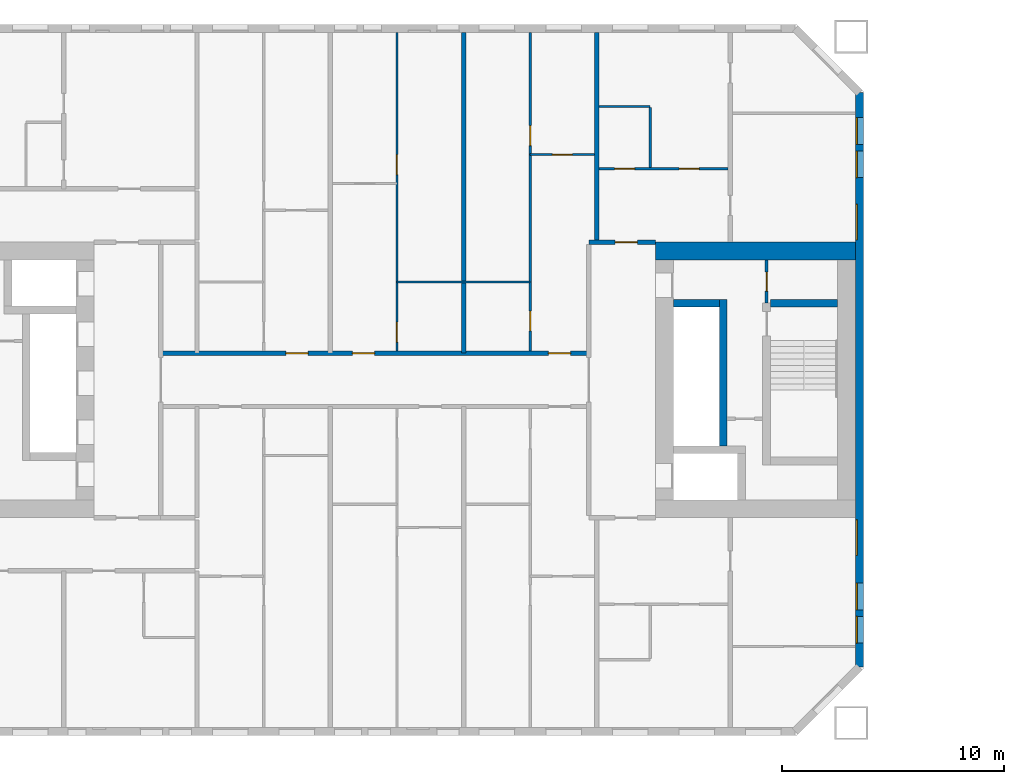
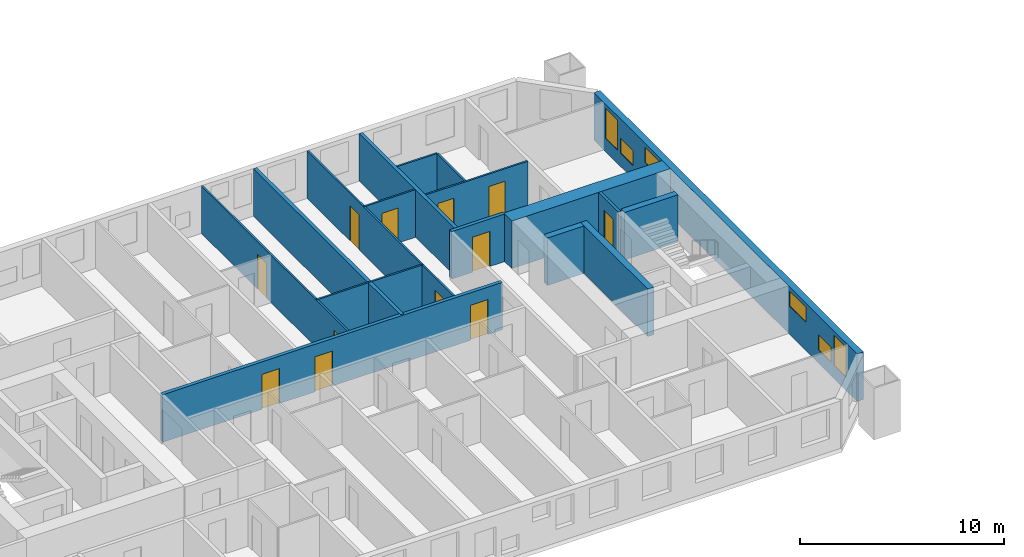
# One storey, part 9 of 19: 17 walls, 12 doors, 6 windows, 18 openings.
"""IFC4 building model written with IfcOpenShell, lengths in metres."""

from ifc_helpers import new_model, si_unit, direction, frame, frame_2d, origin, place, context, subcontext, project, spatial, rectangle, extrude, material, layer, layer_set, type_object, element, fill, save


model = new_model("IFC4")

# Units and contexts
model_context = context("Model", 3, precision=1e-05, world=origin(), true_north=direction((0.0, 1.0)))
body_context = subcontext(model_context, "Body", "Model", "MODEL_VIEW")
ifc_project = project(units=[si_unit("LENGTHUNIT", "METRE"), si_unit("AREAUNIT", "SQUARE_METRE"), si_unit("VOLUMEUNIT", "CUBIC_METRE"), si_unit("PLANEANGLEUNIT", "RADIAN"), si_unit("MASSUNIT", "GRAM", prefix="KILO")], contexts=[model_context])

# Site, building, storey
site_placement = place(None, origin())
site = spatial("IfcSite", under=ifc_project, at=site_placement, CompositionType="ELEMENT")
building_placement = place(site_placement, origin())
building = spatial("IfcBuilding", under=site, at=building_placement, Name="Tuart Gate Housing", CompositionType="ELEMENT")
storey_placement = place(building_placement, frame((0.0, 0.0, 56.699951171875)))
storey = spatial("IfcBuildingStorey", under=building, at=storey_placement, Name="L15", CompositionType="ELEMENT", Elevation=56.699951171875)

# Wall, openings, windows
ifc_material_1 = material(Name="Brick", Category="masonry")
ifc_layer_1 = layer(ifc_material_1, 0.360107421875)
ifc_layer_set_1 = layer_set([ifc_layer_1], Name="Brick pier and spandrel wall 360")
wall_type_1 = type_object("IfcWallType", Name="Brick pier and spandrel wall 360", PredefinedType="STANDARD", material=ifc_layer_set_1)
wall_1_placement = place(storey_placement, frame((75.820068359375, 57.07470703125, 0.0), z_axis=(0.0, 0.0, 1.0), x_axis=(0.0, 1.0, 0.0)))
wall_1 = element("IfcWall", 1, at=wall_1_placement, inside=storey, type_object=wall_type_1, Name="External wall A-E L15", PredefinedType="STANDARD", context=body_context, shape_type="SweptSolid", body=[
    extrude(rectangle(XDim=25.850830078125, YDim=0.360107421875, at=frame_2d((12.92529296875, 0.0))), origin(), (0.0, 0.0, 1.0), 2.85009765625),
])
opening_1_placement = place(wall_1_placement, frame((1.075439453125, 0.0, 0.800048828125)))
opening_1 = element("IfcOpeningElement", 2, at=opening_1_placement, cuts=wall_1, Name="Opening W1B", PredefinedType="OPENING", context=body_context, shape_type="SweptSolid", body=[
    extrude(rectangle(XDim=1.199951171875, YDim=1.800048828125, at=frame_2d((0.60009765625, 0.89990234375))), frame((0.0, 0.18994140625, 0.0), z_axis=(0.0, -1.0, 0.0), x_axis=(1.0, 0.0, 0.0)), (0.0, 0.0, 1.0), 0.380126953125),
])
opening_2_placement = place(wall_1_placement, frame((2.575439453125, 0.0, 0.800048828125)))
opening_2 = element("IfcOpeningElement", 3, at=opening_2_placement, cuts=wall_1, Name="Opening W1T", PredefinedType="OPENING", context=body_context, shape_type="SweptSolid", body=[
    extrude(rectangle(XDim=1.199951171875, YDim=0.89990234375, at=frame_2d((0.60009765625, 0.449951171875))), frame((0.0, 0.18994140625, 0.0), z_axis=(0.0, -1.0, 0.0), x_axis=(1.0, 0.0, 0.0)), (0.0, 0.0, 1.0), 0.380126953125),
])
opening_3_placement = place(wall_1_placement, frame((19.225341796875, 0.0, 1.699951171875)))
opening_3 = element("IfcOpeningElement", 4, at=opening_3_placement, cuts=wall_1, Name="Opening W1R", PredefinedType="OPENING", context=body_context, shape_type="SweptSolid", body=[
    extrude(rectangle(XDim=1.60009765625, YDim=0.89990234375, at=frame_2d((0.800048828125, 0.449951171875))), frame((0.0, 0.18994140625, 0.0), z_axis=(0.0, -1.0, 0.0), x_axis=(1.0, 0.0, 0.0)), (0.0, 0.0, 1.0), 0.380126953125),
])
opening_4_placement = place(wall_1_placement, frame((22.025390625, 0.0, 0.800048828125)))
opening_4 = element("IfcOpeningElement", 5, at=opening_4_placement, cuts=wall_1, Name="Opening W1T", PredefinedType="OPENING", context=body_context, shape_type="SweptSolid", body=[
    extrude(rectangle(XDim=1.199951171875, YDim=0.89990234375, at=frame_2d((0.60009765625, 0.449951171875))), frame((0.0, 0.18994140625, 0.0), z_axis=(0.0, -1.0, 0.0), x_axis=(1.0, 0.0, 0.0)), (0.0, 0.0, 1.0), 0.380126953125),
])
opening_5_placement = place(wall_1_placement, frame((5.025390625, 0.0, 1.699951171875)))
opening_5 = element("IfcOpeningElement", 6, at=opening_5_placement, cuts=wall_1, Name="Opening W1R", PredefinedType="OPENING", context=body_context, shape_type="SweptSolid", body=[
    extrude(rectangle(XDim=1.60009765625, YDim=0.89990234375, at=frame_2d((0.800048828125, 0.449951171875))), frame((0.0, 0.18994140625, 0.0), z_axis=(0.0, -1.0, 0.0), x_axis=(1.0, 0.0, 0.0)), (0.0, 0.0, 1.0), 0.380126953125),
])
opening_6_placement = place(wall_1_placement, frame((23.525390625, 0.0, 0.800048828125)))
opening_6 = element("IfcOpeningElement", 7, at=opening_6_placement, cuts=wall_1, Name="Opening W1B", PredefinedType="OPENING", context=body_context, shape_type="SweptSolid", body=[
    extrude(rectangle(XDim=1.199951171875, YDim=1.800048828125, at=frame_2d((0.60009765625, 0.89990234375))), frame((0.0, 0.18994140625, 0.0), z_axis=(0.0, -1.0, 0.0), x_axis=(1.0, 0.0, 0.0)), (0.0, 0.0, 1.0), 0.380126953125),
])
ifc_material_2 = material(Name="Aluminium frame with clear glass", Category="aluminium")
window_type_1 = type_object("IfcWindowType", Name="Punched window 1200 x 1800", PartitioningType="SINGLE_PANEL", PredefinedType="WINDOW", material=ifc_material_2)
window_1_placement = place(opening_1_placement, origin())
window_1 = element("IfcWindow", 8, at=window_1_placement, inside=storey, type_object=window_type_1, Name="Window W1B", OverallHeight=1.800048828125, OverallWidth=1.199951171875, PartitioningType="SINGLE_PANEL", PredefinedType="WINDOW", context=body_context, shape_type="SweptSolid", body=[
    extrude(rectangle(XDim=1.199951171875, YDim=1.800048828125, at=frame_2d((0.60009765625, 0.89990234375))), frame((0.0, 0.150146484375, 0.0), z_axis=(0.0, -1.0, 0.0), x_axis=(1.0, 0.0, 0.0)), (0.0, 0.0, 1.0), 0.06005859375),
])
fill(opening_1, window_1)
window_2_placement = place(opening_6_placement, origin())
window_2 = element("IfcWindow", 9, at=window_2_placement, inside=storey, type_object=window_type_1, Name="Window W1B", OverallHeight=1.800048828125, OverallWidth=1.199951171875, PartitioningType="SINGLE_PANEL", PredefinedType="WINDOW", context=body_context, shape_type="SweptSolid", body=[
    extrude(rectangle(XDim=1.199951171875, YDim=1.800048828125, at=frame_2d((0.60009765625, 0.89990234375))), frame((0.0, 0.150146484375, 0.0), z_axis=(0.0, -1.0, 0.0), x_axis=(1.0, 0.0, 0.0)), (0.0, 0.0, 1.0), 0.06005859375),
])
fill(opening_6, window_2)
ifc_material_3 = material(Name="Aluminium frame with clear glass", Category="aluminium")
window_type_2 = type_object("IfcWindowType", Name="Punched window 1200 x 900", PartitioningType="SINGLE_PANEL", PredefinedType="WINDOW", material=ifc_material_3)
window_3_placement = place(opening_2_placement, origin())
window_3 = element("IfcWindow", 10, at=window_3_placement, inside=storey, type_object=window_type_2, Name="Window W1T", OverallHeight=0.89990234375, OverallWidth=1.199951171875, PartitioningType="SINGLE_PANEL", PredefinedType="WINDOW", context=body_context, shape_type="SweptSolid", body=[
    extrude(rectangle(XDim=1.199951171875, YDim=0.89990234375, at=frame_2d((0.60009765625, 0.449951171875))), frame((0.0, 0.150146484375, 0.0), z_axis=(0.0, -1.0, 0.0), x_axis=(1.0, 0.0, 0.0)), (0.0, 0.0, 1.0), 0.06005859375),
])
fill(opening_2, window_3)
window_4_placement = place(opening_4_placement, origin())
window_4 = element("IfcWindow", 11, at=window_4_placement, inside=storey, type_object=window_type_2, Name="Window W1T", OverallHeight=0.89990234375, OverallWidth=1.199951171875, PartitioningType="SINGLE_PANEL", PredefinedType="WINDOW", context=body_context, shape_type="SweptSolid", body=[
    extrude(rectangle(XDim=1.199951171875, YDim=0.89990234375, at=frame_2d((0.60009765625, 0.449951171875))), frame((0.0, 0.150146484375, 0.0), z_axis=(0.0, -1.0, 0.0), x_axis=(1.0, 0.0, 0.0)), (0.0, 0.0, 1.0), 0.06005859375),
])
fill(opening_4, window_4)
ifc_material_4 = material(Name="Aluminium frame with clear glass", Category="aluminium")
window_type_3 = type_object("IfcWindowType", Name="Punched window 1600 x 900", PartitioningType="SINGLE_PANEL", PredefinedType="WINDOW", material=ifc_material_4)
window_5_placement = place(opening_3_placement, origin())
window_5 = element("IfcWindow", 12, at=window_5_placement, inside=storey, type_object=window_type_3, Name="Window W1R", OverallHeight=0.89990234375, OverallWidth=1.60009765625, PartitioningType="SINGLE_PANEL", PredefinedType="WINDOW", context=body_context, shape_type="SweptSolid", body=[
    extrude(rectangle(XDim=1.60009765625, YDim=0.89990234375, at=frame_2d((0.800048828125, 0.449951171875))), frame((0.0, 0.150146484375, 0.0), z_axis=(0.0, -1.0, 0.0), x_axis=(1.0, 0.0, 0.0)), (0.0, 0.0, 1.0), 0.06005859375),
])
fill(opening_3, window_5)
window_6_placement = place(opening_5_placement, origin())
window_6 = element("IfcWindow", 13, at=window_6_placement, inside=storey, type_object=window_type_3, Name="Window W1R", OverallHeight=0.89990234375, OverallWidth=1.60009765625, PartitioningType="SINGLE_PANEL", PredefinedType="WINDOW", context=body_context, shape_type="SweptSolid", body=[
    extrude(rectangle(XDim=1.60009765625, YDim=0.89990234375, at=frame_2d((0.800048828125, 0.449951171875))), frame((0.0, 0.150146484375, 0.0), z_axis=(0.0, -1.0, 0.0), x_axis=(1.0, 0.0, 0.0)), (0.0, 0.0, 1.0), 0.06005859375),
])
fill(opening_5, window_6)

# Wall, opening, door
ifc_material_5 = material(Name="Plasterboard partition")
ifc_layer_2 = layer(ifc_material_5, 0.14990234375)
ifc_layer_set_2 = layer_set([ifc_layer_2], Name="Core partition 150")
wall_type_2 = type_object("IfcWallType", Name="Core partition 150", PredefinedType="PARTITIONING", material=ifc_layer_set_2)
wall_2_placement = place(storey_placement, frame((71.639892578125, 73.449951171875, 0.0), z_axis=(0.0, 0.0, 1.0), x_axis=(0.0, 1.0, 0.0)))
wall_2 = element("IfcWall", 14, at=wall_2_placement, inside=storey, type_object=wall_type_2, Name="Core partition AG.9", PredefinedType="PARTITIONING", context=body_context, shape_type="SweptSolid", body=[
    extrude(rectangle(XDim=1.949951171875, YDim=0.14990234375, at=frame_2d((0.97509765625, 0.0))), origin(), (0.0, 0.0, 1.0), 2.85009765625),
])
opening_7_placement = place(wall_2_placement, frame((0.550048828125, 0.0, 0.0)))
opening_7 = element("IfcOpeningElement", 15, at=opening_7_placement, cuts=wall_2, Name="Opening D737", PredefinedType="OPENING", context=body_context, shape_type="SweptSolid", body=[
    extrude(rectangle(XDim=0.85009765625, YDim=2.10009765625, at=frame_2d((0.425048828125, 1.050048828125))), frame((0.0, 0.0849609375, 0.0), z_axis=(0.0, -1.0, 0.0), x_axis=(1.0, 0.0, 0.0)), (0.0, 0.0, 1.0), 0.169921875),
])
ifc_material_6 = material(Name="Steel fire door", Category="steel")
door_type_1 = type_object("IfcDoorType", Name="Service door 850 x 2100 RH", OperationType="SINGLE_SWING_RIGHT", PredefinedType="DOOR", material=ifc_material_6)
door_1_placement = place(opening_7_placement, frame((0.85009765625, 0.0, 0.0), z_axis=(0.0, 0.0, 1.0), x_axis=(-1.0, 0.0, 0.0)))
door_1 = element("IfcDoor", 16, at=door_1_placement, inside=storey, type_object=door_type_1, Name="Service room door AG.ST", OperationType="SINGLE_SWING_RIGHT", OverallHeight=2.10009765625, OverallWidth=0.85009765625, PredefinedType="DOOR", context=body_context, shape_type="SweptSolid", body=[
    extrude(rectangle(XDim=0.85009765625, YDim=2.10009765625, at=frame_2d((0.425048828125, 1.050048828125))), frame((0.0, 0.025146484375, 0.0), z_axis=(0.0, -1.0, 0.0), x_axis=(1.0, 0.0, 0.0)), (0.0, 0.0, 1.0), 0.050048828125),
])
fill(opening_7, door_1)

# Walls
ifc_material_7 = material(Name="Concrete C60", Category="concrete")
ifc_layer_3 = layer(ifc_material_7, 0.35009765625)
ifc_layer_set_3 = layer_set([ifc_layer_3], Name="Core wall 350 C60")
wall_type_3 = type_object("IfcWallType", Name="Core wall 350 C60", PredefinedType="SHEAR", material=ifc_layer_set_3)
wall_3_placement = place(storey_placement, frame((67.43994140625, 73.449951171875, 0.0), z_axis=(0.0, 0.0, 1.0), x_axis=(1.0, 0.0, 0.0)))
element("IfcWall", 17, at=wall_3_placement, inside=storey, type_object=wall_type_3, Name="Core wall AG.4", PredefinedType="SHEAR", context=body_context, shape_type="SweptSolid", body=[
    extrude(rectangle(XDim=2.074951171875, YDim=0.35009765625, at=frame_2d((1.03759765625, 0.0))), origin(), (0.0, 0.0, 1.0), 2.85009765625),
])
wall_4_placement = place(storey_placement, frame((71.81494140625, 73.449951171875, 0.0), z_axis=(0.0, 0.0, 1.0), x_axis=(1.0, 0.0, 0.0)))
element("IfcWall", 18, at=wall_4_placement, inside=storey, type_object=wall_type_3, Name="Core wall AG.5", PredefinedType="SHEAR", context=body_context, shape_type="SweptSolid", body=[
    extrude(rectangle(XDim=3.025146484375, YDim=0.35009765625, at=frame_2d((1.5126953125, 0.0))), origin(), (0.0, 0.0, 1.0), 2.85009765625),
])
wall_5_placement = place(storey_placement, frame((69.68994140625, 67.02490234375, 0.0), z_axis=(0.0, 0.0, 1.0), x_axis=(0.0, 1.0, 0.0)))
element("IfcWall", 19, at=wall_5_placement, inside=storey, type_object=wall_type_3, Name="Core wall AG.6", PredefinedType="SHEAR", context=body_context, shape_type="SweptSolid", body=[
    extrude(rectangle(XDim=6.60009765625, YDim=0.35009765625, at=frame_2d((3.300048828125, 0.0))), origin(), (0.0, 0.0, 1.0), 2.85009765625),
])
ifc_material_8 = material(Name="Concrete C60", Category="concrete")
ifc_layer_4 = layer(ifc_material_8, 0.800048828125)
ifc_layer_set_4 = layer_set([ifc_layer_4], Name="Core wall 800 C60")
wall_type_4 = type_object("IfcWallType", Name="Core wall 800 C60", PredefinedType="SHEAR", material=ifc_layer_set_4)
wall_6_placement = place(storey_placement, frame((66.639892578125, 75.800048828125, 0.0), z_axis=(0.0, 0.0, 1.0), x_axis=(1.0, 0.0, 0.0)))
element("IfcWall", 20, at=wall_6_placement, inside=storey, type_object=wall_type_4, Name="Core wall AG north", PredefinedType="SHEAR", context=body_context, shape_type="SweptSolid", body=[
    extrude(rectangle(XDim=9.0, YDim=0.800048828125, at=frame_2d((4.5, 0.0))), origin(), (0.0, 0.0, 1.0), 2.85009765625),
])

# Wall, openings, doors
ifc_material_9 = material(Name="Concrete masonry 15 MPa", Category="masonry")
ifc_layer_5 = layer(ifc_material_9, 0.199951171875)
ifc_layer_set_5 = layer_set([ifc_layer_5], Name="Corridor wall masonry 200")
wall_type_5 = type_object("IfcWallType", Name="Corridor wall masonry 200", PredefinedType="PARTITIONING", material=ifc_layer_set_5)
wall_7_placement = place(storey_placement, frame((44.360107421875, 71.199951171875, 0.0), z_axis=(0.0, 0.0, 1.0), x_axis=(1.0, 0.0, 0.0)))
wall_7 = element("IfcWall", 21, at=wall_7_placement, inside=storey, type_object=wall_type_5, Name="Corridor wall masonry 200", PredefinedType="PARTITIONING", context=body_context, shape_type="SweptSolid", body=[
    extrude(rectangle(XDim=19.27978515625, YDim=0.199951171875, at=frame_2d((9.639892578125, 0.0))), origin(), (0.0, 0.0, 1.0), 2.85009765625),
])
opening_8_placement = place(wall_7_placement, frame((17.4599609375, 0.0, 0.0)))
opening_8 = element("IfcOpeningElement", 22, at=opening_8_placement, cuts=wall_7, Name="Opening D739", PredefinedType="OPENING", context=body_context, shape_type="SweptSolid", body=[
    extrude(rectangle(XDim=1.0, YDim=2.10009765625, at=frame_2d((0.5, 1.050048828125))), frame((0.0, 0.10986328125, 0.0), z_axis=(0.0, -1.0, 0.0), x_axis=(1.0, 0.0, 0.0)), (0.0, 0.0, 1.0), 0.219970703125),
])
opening_9_placement = place(wall_7_placement, frame((8.639892578125, 0.0, 0.0)))
opening_9 = element("IfcOpeningElement", 23, at=opening_9_placement, cuts=wall_7, Name="Opening D740", PredefinedType="OPENING", context=body_context, shape_type="SweptSolid", body=[
    extrude(rectangle(XDim=1.0, YDim=2.10009765625, at=frame_2d((0.5, 1.050048828125))), frame((0.0, 0.10986328125, 0.0), z_axis=(0.0, -1.0, 0.0), x_axis=(1.0, 0.0, 0.0)), (0.0, 0.0, 1.0), 0.219970703125),
])
opening_10_placement = place(wall_7_placement, frame((5.639892578125, 0.0, 0.0)))
opening_10 = element("IfcOpeningElement", 24, at=opening_10_placement, cuts=wall_7, Name="Opening D741", PredefinedType="OPENING", context=body_context, shape_type="SweptSolid", body=[
    extrude(rectangle(XDim=1.0, YDim=2.10009765625, at=frame_2d((0.5, 1.050048828125))), frame((0.0, 0.10986328125, 0.0), z_axis=(0.0, -1.0, 0.0), x_axis=(1.0, 0.0, 0.0)), (0.0, 0.0, 1.0), 0.219970703125),
])
ifc_material_10 = material(Name="Timber door leaf in steel frame", Category="steel")
door_type_2 = type_object("IfcDoorType", Name="Flat entrance door 1000", OperationType="SINGLE_SWING_LEFT", PredefinedType="DOOR", material=ifc_material_10)
door_2_placement = place(opening_8_placement, origin())
door_2 = element("IfcDoor", 25, at=door_2_placement, inside=storey, type_object=door_type_2, Name="Flat entrance door", OperationType="SINGLE_SWING_LEFT", OverallHeight=2.10009765625, OverallWidth=1.0, PredefinedType="DOOR", context=body_context, shape_type="SweptSolid", body=[
    extrude(rectangle(XDim=1.0, YDim=2.10009765625, at=frame_2d((0.5, 1.050048828125))), frame((0.0, 0.02490234375, 0.0), z_axis=(0.0, -1.0, 0.0), x_axis=(1.0, 0.0, 0.0)), (0.0, 0.0, 1.0), 0.050048828125),
])
fill(opening_8, door_2)
door_3_placement = place(opening_9_placement, origin())
door_3 = element("IfcDoor", 26, at=door_3_placement, inside=storey, type_object=door_type_2, Name="Flat entrance door", OperationType="SINGLE_SWING_LEFT", OverallHeight=2.10009765625, OverallWidth=1.0, PredefinedType="DOOR", context=body_context, shape_type="SweptSolid", body=[
    extrude(rectangle(XDim=1.0, YDim=2.10009765625, at=frame_2d((0.5, 1.050048828125))), frame((0.0, 0.02490234375, 0.0), z_axis=(0.0, -1.0, 0.0), x_axis=(1.0, 0.0, 0.0)), (0.0, 0.0, 1.0), 0.050048828125),
])
fill(opening_9, door_3)
door_4_placement = place(opening_10_placement, origin())
door_4 = element("IfcDoor", 27, at=door_4_placement, inside=storey, type_object=door_type_2, Name="Flat entrance door", OperationType="SINGLE_SWING_LEFT", OverallHeight=2.10009765625, OverallWidth=1.0, PredefinedType="DOOR", context=body_context, shape_type="SweptSolid", body=[
    extrude(rectangle(XDim=1.0, YDim=2.10009765625, at=frame_2d((0.5, 1.050048828125))), frame((0.0, 0.02490234375, 0.0), z_axis=(0.0, -1.0, 0.0), x_axis=(1.0, 0.0, 0.0)), (0.0, 0.0, 1.0), 0.050048828125),
])
fill(opening_10, door_4)

# Wall, opening, door
ifc_material_11 = material(Name="Concrete masonry 15 MPa", Category="masonry")
ifc_layer_6 = layer(ifc_material_11, 0.199951171875)
ifc_layer_set_6 = layer_set([ifc_layer_6], Name="Enclosure wall masonry 200")
wall_type_6 = type_object("IfcWallType", Name="Enclosure wall masonry 200", PredefinedType="PARTITIONING", material=ifc_layer_set_6)
wall_8_placement = place(storey_placement, frame((63.639892578125, 76.199951171875, 0.0), z_axis=(0.0, 0.0, 1.0), x_axis=(1.0, 0.0, 0.0)))
wall_8 = element("IfcWall", 28, at=wall_8_placement, inside=storey, type_object=wall_type_6, Name="Enclosure wall masonry 200", PredefinedType="PARTITIONING", context=body_context, shape_type="SweptSolid", body=[
    extrude(rectangle(XDim=3.0, YDim=0.199951171875, at=frame_2d((1.5, 0.0))), origin(), (0.0, 0.0, 1.0), 2.85009765625),
])
opening_11_placement = place(wall_8_placement, frame((1.179931640625, 0.0, 0.0)))
opening_11 = element("IfcOpeningElement", 29, at=opening_11_placement, cuts=wall_8, Name="Opening D736", PredefinedType="OPENING", context=body_context, shape_type="SweptSolid", body=[
    extrude(rectangle(XDim=1.0, YDim=2.10009765625, at=frame_2d((0.5, 1.050048828125))), frame((0.0, 0.10986328125, 0.0), z_axis=(0.0, -1.0, 0.0), x_axis=(1.0, 0.0, 0.0)), (0.0, 0.0, 1.0), 0.219970703125),
])
door_5_placement = place(opening_11_placement, origin())
door_5 = element("IfcDoor", 30, at=door_5_placement, inside=storey, type_object=door_type_2, Name="Flat entrance door", OperationType="SINGLE_SWING_LEFT", OverallHeight=2.10009765625, OverallWidth=1.0, PredefinedType="DOOR", context=body_context, shape_type="SweptSolid", body=[
    extrude(rectangle(XDim=1.0, YDim=2.10009765625, at=frame_2d((0.5, 1.050048828125))), frame((0.0, 0.02490234375, 0.0), z_axis=(0.0, -1.0, 0.0), x_axis=(1.0, 0.0, 0.0)), (0.0, 0.0, 1.0), 0.050048828125),
])
fill(opening_11, door_5)

# Wall
ifc_material_12 = material(Name="Gypsum board on steel studs", Category="steel")
ifc_layer_7 = layer(ifc_material_12, 0.10009765625)
ifc_layer_set_7 = layer_set([ifc_layer_7], Name="Partition 100")
wall_type_7 = type_object("IfcWallType", Name="Partition 100", PredefinedType="PARTITIONING", material=ifc_layer_set_7)
wall_9_placement = place(storey_placement, frame((55.0, 74.39990234375, 0.0), z_axis=(0.0, 0.0, 1.0), x_axis=(1.0, 0.0, 0.0)))
element("IfcWall", 31, at=wall_9_placement, inside=storey, type_object=wall_type_7, Name="Partition 100", PredefinedType="PARTITIONING", context=body_context, shape_type="SweptSolid", body=[
    extrude(rectangle(XDim=6.0, YDim=0.10009765625, at=frame_2d((3.0, 0.0))), origin(), (0.0, 0.0, 1.0), 2.85009765625),
])

# Wall, openings, doors
wall_10_placement = place(storey_placement, frame((64.10009765625, 79.5, 0.0), z_axis=(0.0, 0.0, 1.0), x_axis=(1.0, 0.0, 0.0)))
wall_10 = element("IfcWall", 32, at=wall_10_placement, inside=storey, type_object=wall_type_7, Name="Partition 100", PredefinedType="PARTITIONING", context=body_context, shape_type="SweptSolid", body=[
    extrude(rectangle(XDim=5.7998046875, YDim=0.10009765625, at=frame_2d((2.89990234375, 0.0))), origin(), (0.0, 0.0, 1.0), 2.85009765625),
])
opening_12_placement = place(wall_10_placement, frame((3.60009765625, 0.0, 0.0)))
opening_12 = element("IfcOpeningElement", 33, at=opening_12_placement, cuts=wall_10, Name="Opening D722", PredefinedType="OPENING", context=body_context, shape_type="SweptSolid", body=[
    extrude(rectangle(XDim=0.89990234375, YDim=2.10009765625, at=frame_2d((0.449951171875, 1.050048828125))), frame((0.0, 0.06005859375, 0.0), z_axis=(0.0, -1.0, 0.0), x_axis=(1.0, 0.0, 0.0)), (0.0, 0.0, 1.0), 0.1201171875),
])
opening_13_placement = place(wall_10_placement, frame((0.699951171875, 0.0, 0.0)))
opening_13 = element("IfcOpeningElement", 34, at=opening_13_placement, cuts=wall_10, Name="Opening D721", PredefinedType="OPENING", context=body_context, shape_type="SweptSolid", body=[
    extrude(rectangle(XDim=0.89990234375, YDim=2.10009765625, at=frame_2d((0.449951171875, 1.050048828125))), frame((0.0, 0.06005859375, 0.0), z_axis=(0.0, -1.0, 0.0), x_axis=(1.0, 0.0, 0.0)), (0.0, 0.0, 1.0), 0.1201171875),
])
ifc_material_13 = material(Name="Timber door leaf in steel frame", Category="steel")
door_type_3 = type_object("IfcDoorType", Name="Bathroom door 900 RH", OperationType="SINGLE_SWING_RIGHT", PredefinedType="DOOR", material=ifc_material_13)
door_6_placement = place(opening_13_placement, origin())
door_6 = element("IfcDoor", 35, at=door_6_placement, inside=storey, type_object=door_type_3, Name="Bathroom door", OperationType="SINGLE_SWING_RIGHT", OverallHeight=2.10009765625, OverallWidth=0.89990234375, PredefinedType="DOOR", context=body_context, shape_type="SweptSolid", body=[
    extrude(rectangle(XDim=0.89990234375, YDim=2.10009765625, at=frame_2d((0.449951171875, 1.050048828125))), frame((0.0, 0.02490234375, 0.0), z_axis=(0.0, -1.0, 0.0), x_axis=(1.0, 0.0, 0.0)), (0.0, 0.0, 1.0), 0.050048828125),
])
fill(opening_13, door_6)
ifc_material_14 = material(Name="Timber door leaf in steel frame", Category="steel")
door_type_4 = type_object("IfcDoorType", Name="Internal door 900", OperationType="SINGLE_SWING_LEFT", PredefinedType="DOOR", material=ifc_material_14)
door_7_placement = place(opening_12_placement, frame((0.89990234375, 0.0, 0.0), z_axis=(0.0, 0.0, 1.0), x_axis=(-1.0, 0.0, 0.0)))
door_7 = element("IfcDoor", 36, at=door_7_placement, inside=storey, type_object=door_type_4, Name="Internal door", OperationType="SINGLE_SWING_LEFT", OverallHeight=2.10009765625, OverallWidth=0.89990234375, PredefinedType="DOOR", context=body_context, shape_type="SweptSolid", body=[
    extrude(rectangle(XDim=0.89990234375, YDim=2.10009765625, at=frame_2d((0.449951171875, 1.050048828125))), frame((0.0, 0.025146484375, 0.0), z_axis=(0.0, -1.0, 0.0), x_axis=(1.0, 0.0, 0.0)), (0.0, 0.0, 1.0), 0.050048828125),
])
fill(opening_12, door_7)

# Wall, opening, door
wall_11_placement = place(storey_placement, frame((61.0, 80.139892578125, 0.0), z_axis=(0.0, 0.0, 1.0), x_axis=(1.0, 0.0, 0.0)))
wall_11 = element("IfcWall", 37, at=wall_11_placement, inside=storey, type_object=wall_type_7, Name="Partition 100", PredefinedType="PARTITIONING", context=body_context, shape_type="SweptSolid", body=[
    extrude(rectangle(XDim=2.89990234375, YDim=0.10009765625, at=frame_2d((1.449951171875, 0.0))), origin(), (0.0, 0.0, 1.0), 2.85009765625),
])
opening_14_placement = place(wall_11_placement, frame((1.0, 0.0, 0.0)))
opening_14 = element("IfcOpeningElement", 38, at=opening_14_placement, cuts=wall_11, Name="Opening D720", PredefinedType="OPENING", context=body_context, shape_type="SweptSolid", body=[
    extrude(rectangle(XDim=0.89990234375, YDim=2.10009765625, at=frame_2d((0.449951171875, 1.050048828125))), frame((0.0, 0.06005859375, 0.0), z_axis=(0.0, -1.0, 0.0), x_axis=(1.0, 0.0, 0.0)), (0.0, 0.0, 1.0), 0.1201171875),
])
ifc_material_15 = material(Name="Timber door leaf in steel frame", Category="steel")
door_type_5 = type_object("IfcDoorType", Name="Internal door 900 RH", OperationType="SINGLE_SWING_RIGHT", PredefinedType="DOOR", material=ifc_material_15)
door_8_placement = place(opening_14_placement, frame((0.89990234375, 0.0, 0.0), z_axis=(0.0, 0.0, 1.0), x_axis=(-1.0, 0.0, 0.0)))
door_8 = element("IfcDoor", 39, at=door_8_placement, inside=storey, type_object=door_type_5, Name="Internal door", OperationType="SINGLE_SWING_RIGHT", OverallHeight=2.10009765625, OverallWidth=0.89990234375, PredefinedType="DOOR", context=body_context, shape_type="SweptSolid", body=[
    extrude(rectangle(XDim=0.89990234375, YDim=2.10009765625, at=frame_2d((0.449951171875, 1.050048828125))), frame((0.0, 0.025146484375, 0.0), z_axis=(0.0, -1.0, 0.0), x_axis=(1.0, 0.0, 0.0)), (0.0, 0.0, 1.0), 0.050048828125),
])
fill(opening_14, door_8)

# Wall
wall_12_placement = place(storey_placement, frame((64.10009765625, 82.300048828125, 0.0), z_axis=(0.0, 0.0, 1.0), x_axis=(1.0, 0.0, 0.0)))
element("IfcWall", 40, at=wall_12_placement, inside=storey, type_object=wall_type_7, Name="Partition 100", PredefinedType="PARTITIONING", context=body_context, shape_type="SweptSolid", body=[
    extrude(rectangle(XDim=2.2998046875, YDim=0.10009765625, at=frame_2d((1.14990234375, 0.0))), origin(), (0.0, 0.0, 1.0), 2.85009765625),
])

# Wall, openings, doors
wall_13_placement = place(storey_placement, frame((55.0, 71.300048828125, 0.0), z_axis=(0.0, 0.0, 1.0), x_axis=(0.0, 1.0, 0.0)))
wall_13 = element("IfcWall", 41, at=wall_13_placement, inside=storey, type_object=wall_type_7, Name="Partition 100", PredefinedType="PARTITIONING", context=body_context, shape_type="SweptSolid", body=[
    extrude(rectangle(XDim=14.33984375, YDim=0.10009765625, at=frame_2d((7.169921875, 0.0))), origin(), (0.0, 0.0, 1.0), 2.85009765625),
])
opening_15_placement = place(wall_13_placement, frame((7.93994140625, 0.0, 0.0)))
opening_15 = element("IfcOpeningElement", 42, at=opening_15_placement, cuts=wall_13, Name="Opening D730", PredefinedType="OPENING", context=body_context, shape_type="SweptSolid", body=[
    extrude(rectangle(XDim=0.89990234375, YDim=2.10009765625, at=frame_2d((0.449951171875, 1.050048828125))), frame((0.0, 0.06005859375, 0.0), z_axis=(0.0, -1.0, 0.0), x_axis=(1.0, 0.0, 0.0)), (0.0, 0.0, 1.0), 0.1201171875),
])
opening_16_placement = place(wall_13_placement, frame((0.39990234375, 0.0, 0.0)))
opening_16 = element("IfcOpeningElement", 43, at=opening_16_placement, cuts=wall_13, Name="Opening D729", PredefinedType="OPENING", context=body_context, shape_type="SweptSolid", body=[
    extrude(rectangle(XDim=0.89990234375, YDim=2.10009765625, at=frame_2d((0.449951171875, 1.050048828125))), frame((0.0, 0.06005859375, 0.0), z_axis=(0.0, -1.0, 0.0), x_axis=(1.0, 0.0, 0.0)), (0.0, 0.0, 1.0), 0.1201171875),
])
door_9_placement = place(opening_16_placement, frame((0.89990234375, 0.0, 0.0), z_axis=(0.0, 0.0, 1.0), x_axis=(-1.0, 0.0, 0.0)))
door_9 = element("IfcDoor", 44, at=door_9_placement, inside=storey, type_object=door_type_3, Name="Bathroom door", OperationType="SINGLE_SWING_RIGHT", OverallHeight=2.10009765625, OverallWidth=0.89990234375, PredefinedType="DOOR", context=body_context, shape_type="SweptSolid", body=[
    extrude(rectangle(XDim=0.89990234375, YDim=2.10009765625, at=frame_2d((0.449951171875, 1.050048828125))), frame((0.0, 0.025146484375, 0.0), z_axis=(0.0, -1.0, 0.0), x_axis=(1.0, 0.0, 0.0)), (0.0, 0.0, 1.0), 0.050048828125),
])
fill(opening_16, door_9)
door_10_placement = place(opening_15_placement, frame((0.89990234375, 0.0, 0.0), z_axis=(0.0, 0.0, 1.0), x_axis=(-1.0, 0.0, 0.0)))
door_10 = element("IfcDoor", 45, at=door_10_placement, inside=storey, type_object=door_type_5, Name="Internal door", OperationType="SINGLE_SWING_RIGHT", OverallHeight=2.10009765625, OverallWidth=0.89990234375, PredefinedType="DOOR", context=body_context, shape_type="SweptSolid", body=[
    extrude(rectangle(XDim=0.89990234375, YDim=2.10009765625, at=frame_2d((0.449951171875, 1.050048828125))), frame((0.0, 0.025146484375, 0.0), z_axis=(0.0, -1.0, 0.0), x_axis=(1.0, 0.0, 0.0)), (0.0, 0.0, 1.0), 0.050048828125),
])
fill(opening_15, door_10)

wall_14_placement = place(storey_placement, frame((61.0, 71.300048828125, 0.0), z_axis=(0.0, 0.0, 1.0), x_axis=(0.0, 1.0, 0.0)))
wall_14 = element("IfcWall", 46, at=wall_14_placement, inside=storey, type_object=wall_type_7, Name="Partition 100", PredefinedType="PARTITIONING", context=body_context, shape_type="SweptSolid", body=[
    extrude(rectangle(XDim=14.33984375, YDim=0.10009765625, at=frame_2d((7.169921875, 0.0))), origin(), (0.0, 0.0, 1.0), 2.85009765625),
])
opening_17_placement = place(wall_14_placement, frame((9.239990234375, 0.0, 0.0)))
opening_17 = element("IfcOpeningElement", 47, at=opening_17_placement, cuts=wall_14, Name="Opening D732", PredefinedType="OPENING", context=body_context, shape_type="SweptSolid", body=[
    extrude(rectangle(XDim=0.89990234375, YDim=2.10009765625, at=frame_2d((0.449951171875, 1.050048828125))), frame((0.0, 0.06005859375, 0.0), z_axis=(0.0, -1.0, 0.0), x_axis=(1.0, 0.0, 0.0)), (0.0, 0.0, 1.0), 0.1201171875),
])
opening_18_placement = place(wall_14_placement, frame((0.89990234375, 0.0, 0.0)))
opening_18 = element("IfcOpeningElement", 48, at=opening_18_placement, cuts=wall_14, Name="Opening D731", PredefinedType="OPENING", context=body_context, shape_type="SweptSolid", body=[
    extrude(rectangle(XDim=0.89990234375, YDim=2.10009765625, at=frame_2d((0.449951171875, 1.050048828125))), frame((0.0, 0.06005859375, 0.0), z_axis=(0.0, -1.0, 0.0), x_axis=(1.0, 0.0, 0.0)), (0.0, 0.0, 1.0), 0.1201171875),
])
ifc_material_16 = material(Name="Timber door leaf in steel frame", Category="steel")
door_type_6 = type_object("IfcDoorType", Name="Bathroom door 900", OperationType="SINGLE_SWING_LEFT", PredefinedType="DOOR", material=ifc_material_16)
door_11_placement = place(opening_18_placement, origin())
door_11 = element("IfcDoor", 49, at=door_11_placement, inside=storey, type_object=door_type_6, Name="Bathroom door", OperationType="SINGLE_SWING_LEFT", OverallHeight=2.10009765625, OverallWidth=0.89990234375, PredefinedType="DOOR", context=body_context, shape_type="SweptSolid", body=[
    extrude(rectangle(XDim=0.89990234375, YDim=2.10009765625, at=frame_2d((0.449951171875, 1.050048828125))), frame((0.0, 0.02490234375, 0.0), z_axis=(0.0, -1.0, 0.0), x_axis=(1.0, 0.0, 0.0)), (0.0, 0.0, 1.0), 0.050048828125),
])
fill(opening_18, door_11)
door_12_placement = place(opening_17_placement, origin())
door_12 = element("IfcDoor", 50, at=door_12_placement, inside=storey, type_object=door_type_5, Name="Internal door", OperationType="SINGLE_SWING_RIGHT", OverallHeight=2.10009765625, OverallWidth=0.89990234375, PredefinedType="DOOR", context=body_context, shape_type="SweptSolid", body=[
    extrude(rectangle(XDim=0.89990234375, YDim=2.10009765625, at=frame_2d((0.449951171875, 1.050048828125))), frame((0.0, 0.02490234375, 0.0), z_axis=(0.0, -1.0, 0.0), x_axis=(1.0, 0.0, 0.0)), (0.0, 0.0, 1.0), 0.050048828125),
])
fill(opening_17, door_12)

# Walls
wall_15_placement = place(storey_placement, frame((66.39990234375, 79.550048828125, 0.0), z_axis=(0.0, 0.0, 1.0), x_axis=(0.0, 1.0, 0.0)))
element("IfcWall", 51, at=wall_15_placement, inside=storey, type_object=wall_type_7, Name="Partition 100", PredefinedType="PARTITIONING", context=body_context, shape_type="SweptSolid", body=[
    extrude(rectangle(XDim=2.699951171875, YDim=0.10009765625, at=frame_2d((1.35009765625, 0.0))), origin(), (0.0, 0.0, 1.0), 2.85009765625),
])
ifc_material_17 = material(Name="Concrete C40", Category="concrete")
ifc_layer_8 = layer(ifc_material_17, 0.199951171875)
ifc_layer_set_8 = layer_set([ifc_layer_8], Name="Party wall concrete C40 200")
wall_type_8 = type_object("IfcWallType", Name="Party wall concrete C40 200", PredefinedType="SOLIDWALL", material=ifc_layer_set_8)
wall_16_placement = place(storey_placement, frame((58.0, 71.199951171875, 0.0), z_axis=(0.0, 0.0, 1.0), x_axis=(0.0, 1.0, 0.0)))
element("IfcWall", 52, at=wall_16_placement, inside=storey, type_object=wall_type_8, Name="Party wall concrete C40 200", PredefinedType="SOLIDWALL", context=body_context, shape_type="SweptSolid", body=[
    extrude(rectangle(XDim=14.43994140625, YDim=0.199951171875, at=frame_2d((7.219970703125, 0.0))), origin(), (0.0, 0.0, 1.0), 2.85009765625),
])
wall_17_placement = place(storey_placement, frame((64.0, 76.199951171875, 0.0), z_axis=(0.0, 0.0, 1.0), x_axis=(0.0, 1.0, 0.0)))
element("IfcWall", 53, at=wall_17_placement, inside=storey, type_object=wall_type_8, Name="Party wall concrete C40 200", PredefinedType="SOLIDWALL", context=body_context, shape_type="SweptSolid", body=[
    extrude(rectangle(XDim=9.43994140625, YDim=0.199951171875, at=frame_2d((4.719970703125, 0.0))), origin(), (0.0, 0.0, 1.0), 2.85009765625),
])

save(model, "model.ifc")
